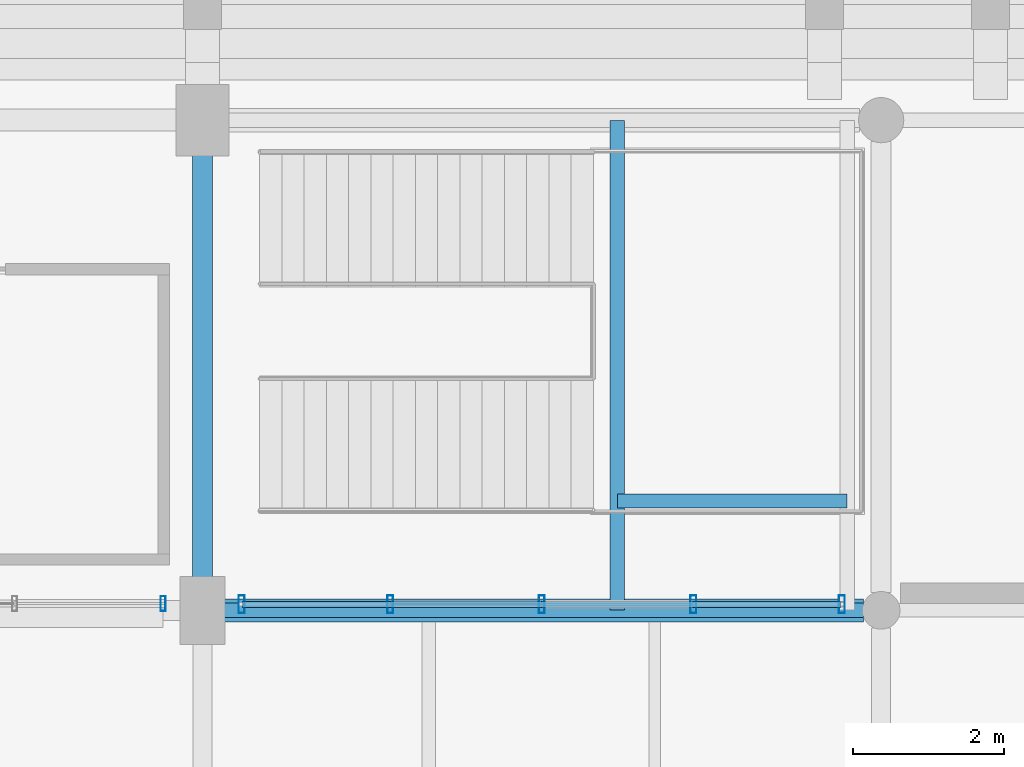
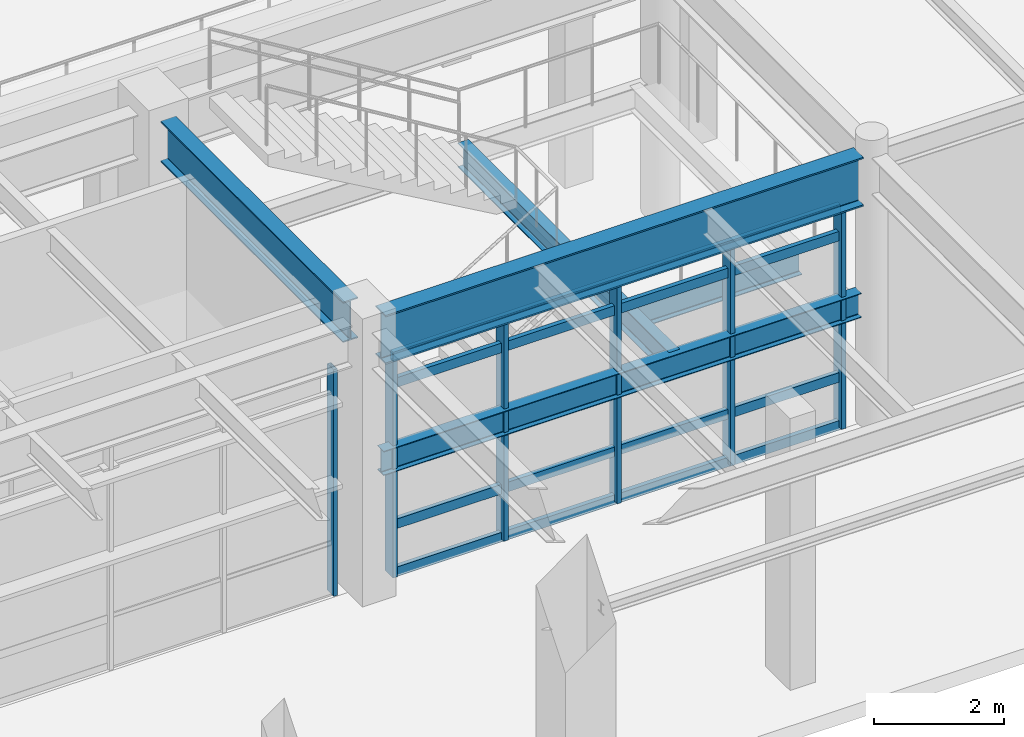
# One storey, part 51 of 203: 10 members, 5 beams, 2 elements without a shape of their own.
"""IFC4 building model written with IfcOpenShell, lengths in metres."""

from ifc_helpers import new_model, si_unit, direction, frame, origin, origin_2d, place, context, subcontext, project, spatial, hollow_rectangle, i_section, extrude, material, material_profile, profile_set, type_object, element, aggregate, save


model = new_model("IFC4")

# Units and contexts
model_context = context("Model", 3, precision=1e-05, world=origin(), true_north=direction((0.0, 1.0)))
body_context = subcontext(model_context, "Body", "Model", "MODEL_VIEW")
ifc_project = project(units=[si_unit("LENGTHUNIT", "METRE"), si_unit("AREAUNIT", "SQUARE_METRE"), si_unit("VOLUMEUNIT", "CUBIC_METRE"), si_unit("PLANEANGLEUNIT", "RADIAN"), si_unit("MASSUNIT", "GRAM", prefix="KILO"), si_unit("THERMODYNAMICTEMPERATUREUNIT", "KELVIN"), si_unit("POWERUNIT", "WATT")], contexts=[model_context])

# Site, building, storey
site_placement = place(None, origin())
site = spatial("IfcSite", under=ifc_project, at=site_placement, CompositionType="ELEMENT")
building_placement = place(site_placement, origin())
building = spatial("IfcBuilding", under=site, at=building_placement, Name="Tepalcoro Natatorium and Aquatics Centre", CompositionType="ELEMENT")
storey_placement = place(building_placement, origin())
storey = spatial("IfcBuildingStorey", under=building, at=storey_placement, Name="L00", CompositionType="ELEMENT", Elevation=0.0)

# Beams
ifc_material_1 = material(Name="Steel ASTM A992 Grade 50 (Fy 345 MPa)", Category="steel")
ifc_material_profile_1 = material_profile(ifc_material_1, i_section(OverallWidth=0.19091796875, OverallDepth=0.45703125, WebThickness=0.009033203125, FlangeThickness=0.013916015625, FilletRadius=0.013916015625, at=origin_2d()), Name="W18X50")
ifc_profile_set_1 = profile_set([ifc_material_profile_1], Name="Steel ASTM A992 Grade 50 (Fy 345 MPa)")
beam_type_1 = type_object("IfcBeamType", Name="BM_W18x50", PredefinedType="BEAM", material=ifc_profile_set_1)
beam_1_placement = place(storey_placement, frame((71.284912109375, 6.5, 2.271484375), z_axis=(1.0, 0.0, 0.0), x_axis=(0.0, 1.0, 0.0)))
element("IfcBeam", 1, at=beam_1_placement, inside=storey, type_object=beam_type_1, Name="Vomitory Stair Mid-Height Grid Header SW-S", PredefinedType="BEAM", context=body_context, shape_type="SweptSolid", body=[
    extrude(i_section(OverallWidth=0.19091796875, OverallDepth=0.45703125, WebThickness=0.009033203125, FlangeThickness=0.013916015625, FilletRadius=0.013916015625, at=origin_2d()), origin(), (0.0, 0.0, 1.0), 8.47998046875),
])
beam_2_placement = place(storey_placement, frame((76.5, 6.501953125, 2.271484375), z_axis=(0.0, 1.0, 0.0), x_axis=(-1.0, 0.0, 0.0)))
element("IfcBeam", 2, at=beam_2_placement, inside=storey, type_object=beam_type_1, Name="Vomitory Half-Landing Trimmer Beam SW-W", PredefinedType="BEAM", context=body_context, shape_type="SweptSolid", body=[
    extrude(i_section(OverallWidth=0.19091796875, OverallDepth=0.45703125, WebThickness=0.009033203125, FlangeThickness=0.013916015625, FilletRadius=0.013916015625, at=origin_2d()), origin(), (0.0, 0.0, 1.0), 6.49609375),
])
beam_3_placement = place(storey_placement, frame((76.501953125, 7.949951171875, 2.271484375), z_axis=(1.0, 0.0, 0.0), x_axis=(0.0, 1.0, 0.0)))
element("IfcBeam", 3, at=beam_3_placement, inside=storey, type_object=beam_type_1, Name="Vomitory Half-Landing Cross-Beam SW-M", PredefinedType="BEAM", context=body_context, shape_type="SweptSolid", body=[
    extrude(i_section(OverallWidth=0.19091796875, OverallDepth=0.45703125, WebThickness=0.009033203125, FlangeThickness=0.013916015625, FilletRadius=0.013916015625, at=origin_2d()), origin(), (0.0, 0.0, 1.0), 3.046142578125),
])
ifc_material_profile_2 = material_profile(ifc_material_1, i_section(OverallWidth=0.26708984375, OverallDepth=0.761962890625, WebThickness=0.013916015625, FlangeThickness=0.02197265625, FilletRadius=0.013916015625, at=origin_2d()), Name="W30X116")
ifc_profile_set_2 = profile_set([ifc_material_profile_2], Name="Steel ASTM A992 Grade 50 (Fy 345 MPa)")
beam_type_2 = type_object("IfcBeamType", Name="BM_W30x116", PredefinedType="BEAM", material=ifc_profile_set_2)
beam_4_placement = place(storey_placement, frame((71.0, 6.93505859375, 4.743896484375), z_axis=(0.0, 1.0, 0.0), x_axis=(-1.0, 0.0, 0.0)))
element("IfcBeam", 4, at=beam_4_placement, inside=storey, type_object=beam_type_2, Name="V1 L00 Grid Girder Y", PredefinedType="BEAM", context=body_context, shape_type="SweptSolid", body=[
    extrude(i_section(OverallWidth=0.26708984375, OverallDepth=0.761962890625, WebThickness=0.013916015625, FlangeThickness=0.02197265625, FilletRadius=0.013916015625, at=origin_2d()), origin(), (0.0, 0.0, 1.0), 5.60498046875),
])
ifc_material_profile_3 = material_profile(ifc_material_1, i_section(OverallWidth=0.304931640625, OverallDepth=0.9189453125, WebThickness=0.01708984375, FlangeThickness=0.028076171875, FilletRadius=0.013916015625, at=origin_2d()), Name="W36X170")
ifc_profile_set_3 = profile_set([ifc_material_profile_3], Name="Steel ASTM A992 Grade 50 (Fy 345 MPa)")
beam_type_3 = type_object("IfcBeamType", Name="BM_W36x170", PredefinedType="BEAM", material=ifc_profile_set_3)
beam_5_placement = place(storey_placement, frame((71.284912109375, 6.5, 4.62548828125), z_axis=(1.0, 0.0, 0.0), x_axis=(0.0, 1.0, 0.0)))
element("IfcBeam", 5, at=beam_5_placement, inside=storey, type_object=beam_type_3, Name="V1 L00 Grid Girder X", PredefinedType="BEAM", context=body_context, shape_type="SweptSolid", body=[
    extrude(i_section(OverallWidth=0.304931640625, OverallDepth=0.9189453125, WebThickness=0.01708984375, FlangeThickness=0.028076171875, FilletRadius=0.013916015625, at=origin_2d()), origin(), (0.0, 0.0, 1.0), 8.47998046875),
])

# Curtain wall, member
ifc_material_2 = material(Name="Bronze-Anodised Extruded Aluminium Alloy EN AW-6063 T6", Category="aluminium")
curtain_wall_type_1 = type_object("IfcCurtainWallType", Name="CW_V4_VILLAGE", PredefinedType="USERDEFINED", material=ifc_material_2)
curtain_wall_1_placement = place(storey_placement, origin())
curtain_wall_1 = element("IfcCurtainWall", 6, at=curtain_wall_1_placement, inside=storey, type_object=curtain_wall_type_1, Name="V1 L00 S Unitised Curtain Wall Bay 3", ObjectType="UNITISED STOREFRONT", PredefinedType="USERDEFINED")
ifc_material_profile_4 = material_profile(ifc_material_2, hollow_rectangle(XDim=0.070068359375, YDim=0.199951171875, WallThickness=0.0048828125, at=origin_2d()), Name="AL70X200X5")
ifc_profile_set_4 = profile_set([ifc_material_profile_4], Name="Bronze-Anodised Extruded Aluminium Alloy EN AW-6063 T6")
member_type_1 = type_object("IfcMemberType", Name="CW_MUL_70x200", PredefinedType="MULLION", material=ifc_profile_set_4)
member_1_placement = place(storey_placement, frame((70.47998046875, 6.590087890625, 0.02001953125), z_axis=(0.0, 0.0, 1.0), x_axis=(1.0, 0.0, 0.0)))
member_1 = element("IfcMember", 7, at=member_1_placement, type_object=member_type_1, Name="CW_V4_VILLAGE Curtain Wall Mullion", PredefinedType="MULLION", context=body_context, shape_type="SweptSolid", body=[
    extrude(hollow_rectangle(XDim=0.070068359375, YDim=0.199951171875, WallThickness=0.0048828125, at=origin_2d()), origin(), (0.0, 0.0, 1.0), 4.25),
])
aggregate(curtain_wall_1, [member_1])

# Curtain wall, members
curtain_wall_type_2 = type_object("IfcCurtainWallType", Name="CW_V5_LOWER", PredefinedType="USERDEFINED", material=ifc_material_2)
curtain_wall_2_placement = place(storey_placement, origin())
curtain_wall_2 = element("IfcCurtainWall", 8, at=curtain_wall_2_placement, inside=storey, type_object=curtain_wall_type_2, Name="V1 L00 S Unitised Curtain Wall Bay 4", ObjectType="UNITISED STOREFRONT", PredefinedType="USERDEFINED")
ifc_material_profile_5 = material_profile(ifc_material_2, hollow_rectangle(XDim=0.080078125, YDim=0.239990234375, WallThickness=0.0048828125, at=origin_2d()), Name="AL80X240X5")
ifc_profile_set_5 = profile_set([ifc_material_profile_5], Name="Bronze-Anodised Extruded Aluminium Alloy EN AW-6063 T6")
member_type_2 = type_object("IfcMemberType", Name="CW_MUL_80x240", PredefinedType="MULLION", material=ifc_profile_set_5)
member_2_placement = place(storey_placement, frame((71.52001953125, 6.580078125, 0.02001953125), z_axis=(0.0, 0.0, 1.0), x_axis=(1.0, 0.0, 0.0)))
member_2 = element("IfcMember", 9, at=member_2_placement, type_object=member_type_2, Name="CW_V5_LOWER Curtain Wall Mullion", PredefinedType="MULLION", context=body_context, shape_type="SweptSolid", body=[
    extrude(hollow_rectangle(XDim=0.080078125, YDim=0.239990234375, WallThickness=0.0048828125, at=origin_2d()), origin(), (0.0, 0.0, 1.0), 4.111083984375),
])
member_3_placement = place(storey_placement, frame((73.489990234375, 6.580078125, 0.02001953125), z_axis=(0.0, 0.0, 1.0), x_axis=(1.0, 0.0, 0.0)))
member_3 = element("IfcMember", 10, at=member_3_placement, type_object=member_type_2, Name="CW_V5_LOWER Curtain Wall Mullion", PredefinedType="MULLION", context=body_context, shape_type="SweptSolid", body=[
    extrude(hollow_rectangle(XDim=0.080078125, YDim=0.239990234375, WallThickness=0.0048828125, at=origin_2d()), origin(), (0.0, 0.0, 1.0), 4.111083984375),
])
member_4_placement = place(storey_placement, frame((75.5, 6.580078125, 0.02001953125), z_axis=(0.0, 0.0, 1.0), x_axis=(1.0, 0.0, 0.0)))
member_4 = element("IfcMember", 11, at=member_4_placement, type_object=member_type_2, Name="CW_V5_LOWER Curtain Wall Mullion", PredefinedType="MULLION", context=body_context, shape_type="SweptSolid", body=[
    extrude(hollow_rectangle(XDim=0.080078125, YDim=0.239990234375, WallThickness=0.0048828125, at=origin_2d()), origin(), (0.0, 0.0, 1.0), 4.111083984375),
])
member_5_placement = place(storey_placement, frame((77.510009765625, 6.580078125, 0.02001953125), z_axis=(0.0, 0.0, 1.0), x_axis=(1.0, 0.0, 0.0)))
member_5 = element("IfcMember", 12, at=member_5_placement, type_object=member_type_2, Name="CW_V5_LOWER Curtain Wall Mullion", PredefinedType="MULLION", context=body_context, shape_type="SweptSolid", body=[
    extrude(hollow_rectangle(XDim=0.080078125, YDim=0.239990234375, WallThickness=0.0048828125, at=origin_2d()), origin(), (0.0, 0.0, 1.0), 4.111083984375),
])
member_6_placement = place(storey_placement, frame((79.47998046875, 6.580078125, 0.02001953125), z_axis=(0.0, 0.0, 1.0), x_axis=(1.0, 0.0, 0.0)))
member_6 = element("IfcMember", 13, at=member_6_placement, type_object=member_type_2, Name="CW_V5_LOWER Curtain Wall Mullion", PredefinedType="MULLION", context=body_context, shape_type="SweptSolid", body=[
    extrude(hollow_rectangle(XDim=0.080078125, YDim=0.239990234375, WallThickness=0.0048828125, at=origin_2d()), origin(), (0.0, 0.0, 1.0), 4.111083984375),
])
ifc_material_profile_6 = material_profile(ifc_material_2, hollow_rectangle(XDim=0.080078125, YDim=0.179931640625, WallThickness=0.0048828125, at=origin_2d()), Name="AL80X180X5")
ifc_profile_set_6 = profile_set([ifc_material_profile_6], Name="Bronze-Anodised Extruded Aluminium Alloy EN AW-6063 T6")
member_type_3 = type_object("IfcMemberType", Name="CW_TRN_80x180", PredefinedType="USERDEFINED", material=ifc_profile_set_6)
member_7_placement = place(storey_placement, frame((71.530029296875, 6.580078125, 0.050048828125), z_axis=(1.0, 0.0, 0.0), x_axis=(0.0, 1.0, 0.0)))
member_7 = element("IfcMember", 14, at=member_7_placement, type_object=member_type_3, Name="CW_V5_LOWER Curtain Wall Transom", ObjectType="TRANSOM", PredefinedType="USERDEFINED", context=body_context, shape_type="SweptSolid", body=[
    extrude(hollow_rectangle(XDim=0.080078125, YDim=0.179931640625, WallThickness=0.0048828125, at=origin_2d()), origin(), (0.0, 0.0, 1.0), 7.93994140625),
])
member_8_placement = place(storey_placement, frame((71.530029296875, 6.580078125, 0.949951171875), z_axis=(1.0, 0.0, 0.0), x_axis=(0.0, 1.0, 0.0)))
member_8 = element("IfcMember", 15, at=member_8_placement, type_object=member_type_3, Name="CW_V5_LOWER Curtain Wall Transom", ObjectType="TRANSOM", PredefinedType="USERDEFINED", context=body_context, shape_type="SweptSolid", body=[
    extrude(hollow_rectangle(XDim=0.080078125, YDim=0.179931640625, WallThickness=0.0048828125, at=origin_2d()), origin(), (0.0, 0.0, 1.0), 7.93994140625),
])
member_9_placement = place(storey_placement, frame((71.530029296875, 6.580078125, 3.60107421875), z_axis=(1.0, 0.0, 0.0), x_axis=(0.0, 1.0, 0.0)))
member_9 = element("IfcMember", 16, at=member_9_placement, type_object=member_type_3, Name="CW_V5_LOWER Curtain Wall Transom", ObjectType="TRANSOM", PredefinedType="USERDEFINED", context=body_context, shape_type="SweptSolid", body=[
    extrude(hollow_rectangle(XDim=0.080078125, YDim=0.179931640625, WallThickness=0.0048828125, at=origin_2d()), origin(), (0.0, 0.0, 1.0), 7.93994140625),
])
member_10_placement = place(storey_placement, frame((71.530029296875, 6.580078125, 4.10107421875), z_axis=(1.0, 0.0, 0.0), x_axis=(0.0, 1.0, 0.0)))
member_10 = element("IfcMember", 17, at=member_10_placement, type_object=member_type_3, Name="CW_V5_LOWER Curtain Wall Transom", ObjectType="TRANSOM", PredefinedType="USERDEFINED", context=body_context, shape_type="SweptSolid", body=[
    extrude(hollow_rectangle(XDim=0.080078125, YDim=0.179931640625, WallThickness=0.0048828125, at=origin_2d()), origin(), (0.0, 0.0, 1.0), 7.93994140625),
])
aggregate(curtain_wall_2, [member_2, member_3, member_4, member_5, member_6, member_7, member_8, member_9, member_10])

save(model, "model.ifc")
